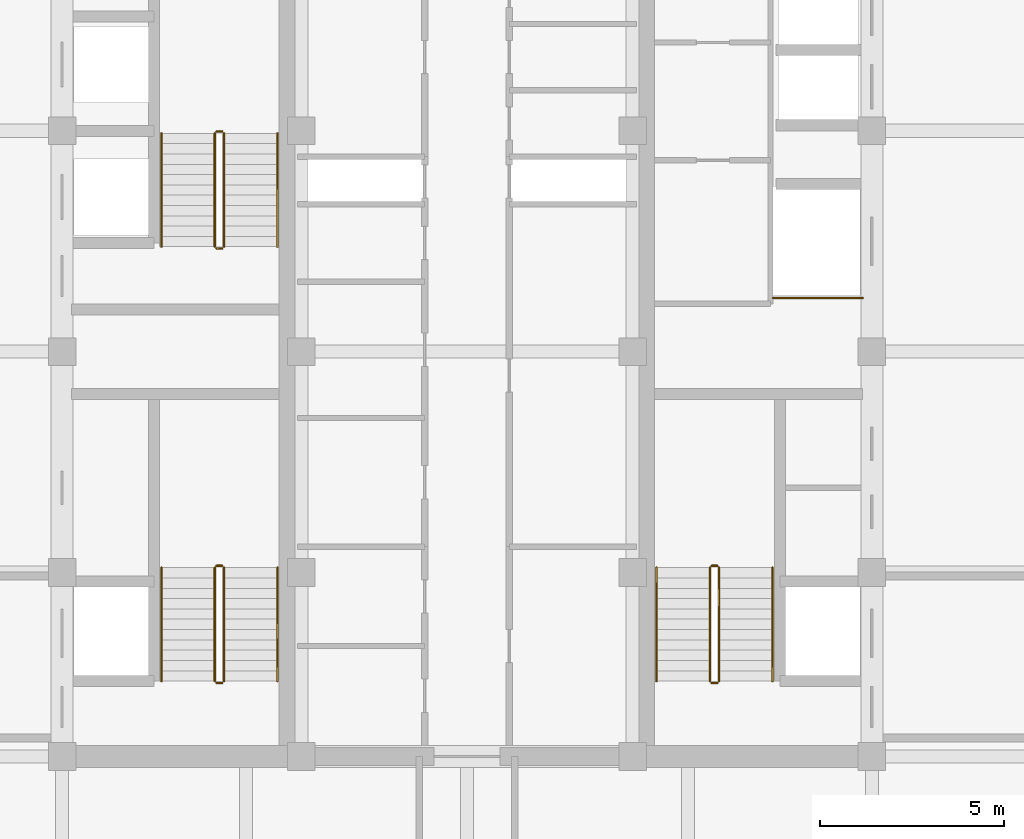
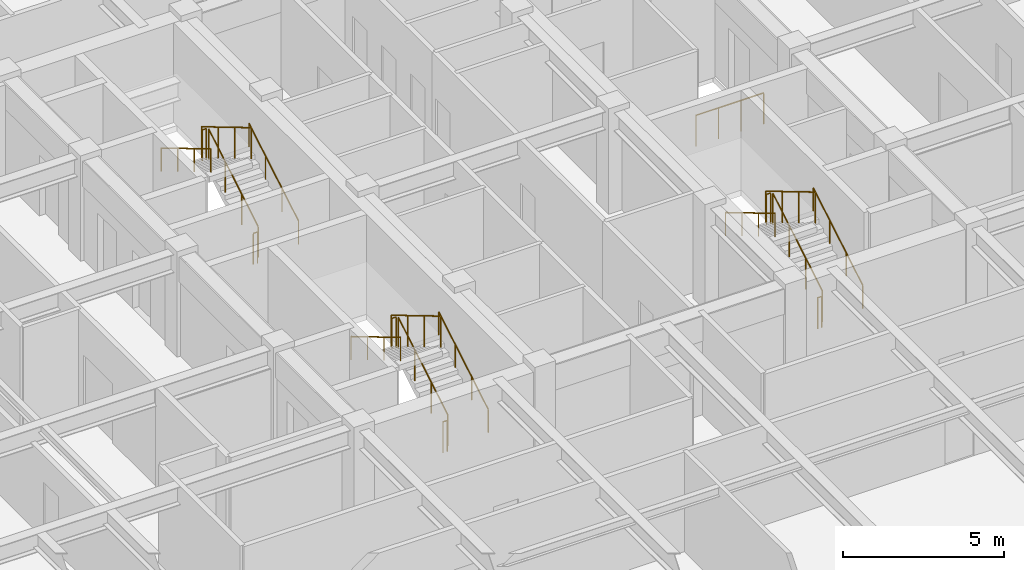
# One storey, part 22 of 22: 19 railings.
"""IFC4 building model written with IfcOpenShell, lengths in metres."""

from ifc_helpers import new_model, si_unit, direction, frame, origin, origin_2d, place, context, subcontext, project, spatial, circle, extrude, source, transform, mapped, material, type_object, element, save


model = new_model("IFC4")

# Units and contexts
model_context = context("Model", 3, precision=1e-05, world=origin(), true_north=direction((0.0, 1.0)))
body_context = subcontext(model_context, "Body", "Model", "MODEL_VIEW")
ifc_project = project(units=[si_unit("LENGTHUNIT", "METRE"), si_unit("AREAUNIT", "SQUARE_METRE"), si_unit("VOLUMEUNIT", "CUBIC_METRE"), si_unit("PLANEANGLEUNIT", "RADIAN"), si_unit("MASSUNIT", "GRAM", prefix="KILO")], contexts=[model_context])

# Site, building, storey
site_placement = place(None, origin())
site = spatial("IfcSite", under=ifc_project, at=site_placement, CompositionType="ELEMENT")
building_placement = place(site_placement, origin())
building = spatial("IfcBuilding", under=site, at=building_placement, Name="Khorayat Bourse Tower", CompositionType="ELEMENT")
storey_placement = place(building_placement, frame((0.0, 0.0, 309.5)))
storey = spatial("IfcBuildingStorey", under=building, at=storey_placement, Name="L73", CompositionType="ELEMENT", Elevation=309.5)

# Railings
ifc_material_1 = material(Name="Powder-coated steel balustrade", Category="steel")
railing_type_1 = type_object("IfcRailingType", Name="RLG-GUARD-1200", PredefinedType="GUARDRAIL", material=ifc_material_1)
shared_shape_1 = source(origin(), body_context, "Body", "SweptSolid", [
    extrude(circle(Radius=0.02392578125, at=origin_2d()), frame((0.0, 0.0, 1.17578125), z_axis=(-1.0, 0.0, 0.0), x_axis=(0.0, -1.0, 0.0)), (0.0, 0.0, 1.0), 0.150146484375),
    extrude(circle(Radius=0.02099609375, at=origin_2d()), origin(), (0.0, 0.0, 1.0), 1.15185546875),
    extrude(circle(Radius=0.02099609375, at=origin_2d()), frame((-0.150146484375, 0.0, 0.0)), (0.0, 0.0, 1.0), 1.15185546875),
])
for number, where, name in (
    (1, (-6.64990234375, -5.820068359375, 2.0), "L73 ST-1 stair guard 2"),
    (2, (-6.64990234375, -9.0, 0.0), "L73 ST-1 stair guard 4"),
    (3, (-6.64990234375, 5.97998046875, 2.0), "L73 ST-2 stair guard 2"),
    (4, (-6.64990234375, 2.800048828125, 0.0), "L73 ST-2 stair guard 4"),
    (5, (6.800048828125, -5.820068359375, 2.0), "L73 ST-3 stair guard 2"),
    (6, (6.800048828125, -9.0, 0.0), "L73 ST-3 stair guard 4"),
):
    element("IfcRailing", number, at=place(storey_placement, frame(where)), inside=storey, type_object=railing_type_1, Name=name, PredefinedType="GUARDRAIL", context=body_context, shape_type="MappedRepresentation", body=[
        mapped(shared_shape_1, transform((0.0, 0.0, 0.0), scale=1.0)),
    ])
shared_shape_2 = source(origin(), body_context, "Body", "SweptSolid", [
    extrude(circle(Radius=0.02392578125, at=origin_2d()), frame((0.0, 0.0, 1.17578125), z_axis=(0.0, 0.859290745958, 0.51148745235), x_axis=(-1.0, 0.0, 0.0)), (0.0, 0.0, 1.0), 3.584228515625),
    extrude(circle(Radius=0.02099609375, at=origin_2d()), origin(), (0.0, 0.0, 1.0), 1.15185546875),
    extrude(circle(Radius=0.02099609375, at=origin_2d()), frame((0.0, 1.026611328125, 0.611083984375)), (0.0, 0.0, 1.0), 1.15185546875),
    extrude(circle(Radius=0.02099609375, at=origin_2d()), frame((0.0, 2.05322265625, 1.22216796875)), (0.0, 0.0, 1.0), 1.15185546875),
    extrude(circle(Radius=0.02099609375, at=origin_2d()), frame((0.0, 3.079833984375, 1.833251953125)), (0.0, 0.0, 1.0), 1.15185546875),
])
for number, where, name in (
    (7, (-6.60009765625, -8.949951171875, 0.166748046875), "L73 ST-1 stair guard 1"),
    (8, (-6.60009765625, 2.85009765625, 0.166748046875), "L73 ST-2 stair guard 1"),
    (9, (6.85009765625, -8.949951171875, 0.166748046875), "L73 ST-3 stair guard 1"),
):
    element("IfcRailing", number, at=place(storey_placement, frame(where)), inside=storey, type_object=railing_type_1, Name=name, PredefinedType="GUARDRAIL", context=body_context, shape_type="MappedRepresentation", body=[
        mapped(shared_shape_2, transform((0.0, 0.0, 0.0), scale=1.0)),
    ])
shared_shape_3 = source(origin(), body_context, "Body", "SweptSolid", [
    extrude(circle(Radius=0.02392578125, at=origin_2d()), frame((0.0, 0.0, 1.17578125), z_axis=(0.0, -0.859290745958, 0.51148745235), x_axis=(1.0, 0.0, 0.0)), (0.0, 0.0, 1.0), 3.584228515625),
    extrude(circle(Radius=0.02099609375, at=origin_2d()), origin(), (0.0, 0.0, 1.0), 1.15185546875),
    extrude(circle(Radius=0.02099609375, at=origin_2d()), frame((0.0, -1.026611328125, 0.611083984375)), (0.0, 0.0, 1.0), 1.15185546875),
    extrude(circle(Radius=0.02099609375, at=origin_2d()), frame((0.0, -2.05322265625, 1.22216796875)), (0.0, 0.0, 1.0), 1.15185546875),
    extrude(circle(Radius=0.02099609375, at=origin_2d()), frame((0.0, -3.079833984375, 1.833251953125)), (0.0, 0.0, 1.0), 1.15185546875),
])
for number, where, name in (
    (10, (-6.85009765625, -5.8701171875, 2.166748046875), "L73 ST-1 stair guard 3"),
    (11, (-6.85009765625, 5.929931640625, 2.166748046875), "L73 ST-2 stair guard 3"),
    (12, (6.60009765625, -5.8701171875, 2.166748046875), "L73 ST-3 stair guard 3"),
):
    element("IfcRailing", number, at=place(storey_placement, frame(where)), inside=storey, type_object=railing_type_1, Name=name, PredefinedType="GUARDRAIL", context=body_context, shape_type="MappedRepresentation", body=[
        mapped(shared_shape_3, transform((0.0, 0.0, 0.0), scale=1.0)),
    ])
ifc_material_2 = material(Name="Brushed bronze stainless-steel handrail", Category="steel")
railing_type_2 = type_object("IfcRailingType", Name="RLG-HAND-900", PredefinedType="HANDRAIL", material=ifc_material_2)
shared_shape_4 = source(origin(), body_context, "Body", "SweptSolid", [
    extrude(circle(Radius=0.02392578125, at=origin_2d()), frame((0.0, 0.0, 0.8759765625), z_axis=(0.0, 0.859290745958, 0.51148745235), x_axis=(-1.0, 0.0, 0.0)), (0.0, 0.0, 1.0), 3.584228515625),
    extrude(circle(Radius=0.02099609375, at=origin_2d()), origin(), (0.0, 0.0, 1.0), 0.851806640625),
    extrude(circle(Radius=0.02099609375, at=origin_2d()), frame((0.0, 1.026611328125, 0.611083984375)), (0.0, 0.0, 1.0), 0.851806640625),
    extrude(circle(Radius=0.02099609375, at=origin_2d()), frame((0.0, 2.05322265625, 1.22216796875)), (0.0, 0.0, 1.0), 0.851806640625),
    extrude(circle(Radius=0.02099609375, at=origin_2d()), frame((0.0, 3.079833984375, 1.833251953125)), (0.0, 0.0, 1.0), 0.851806640625),
])
for number, where, name in (
    (13, (-5.14990234375, -8.949951171875, 0.166748046875), "L73 ST-1 stair handrail 1"),
    (14, (-5.14990234375, 2.85009765625, 0.166748046875), "L73 ST-2 stair handrail 1"),
    (15, (8.300048828125, -8.949951171875, 0.166748046875), "L73 ST-3 stair handrail 1"),
):
    element("IfcRailing", number, at=place(storey_placement, frame(where)), inside=storey, type_object=railing_type_2, Name=name, PredefinedType="HANDRAIL", context=body_context, shape_type="MappedRepresentation", body=[
        mapped(shared_shape_4, transform((0.0, 0.0, 0.0), scale=1.0)),
    ])
shared_shape_5 = source(origin(), body_context, "Body", "SweptSolid", [
    extrude(circle(Radius=0.02392578125, at=origin_2d()), frame((0.0, 0.0, 0.8759765625), z_axis=(0.0, -0.859290745958, 0.51148745235), x_axis=(1.0, 0.0, 0.0)), (0.0, 0.0, 1.0), 3.584228515625),
    extrude(circle(Radius=0.02099609375, at=origin_2d()), origin(), (0.0, 0.0, 1.0), 0.851806640625),
    extrude(circle(Radius=0.02099609375, at=origin_2d()), frame((0.0, -1.026611328125, 0.611083984375)), (0.0, 0.0, 1.0), 0.851806640625),
    extrude(circle(Radius=0.02099609375, at=origin_2d()), frame((0.0, -2.05322265625, 1.22216796875)), (0.0, 0.0, 1.0), 0.851806640625),
    extrude(circle(Radius=0.02099609375, at=origin_2d()), frame((0.0, -3.079833984375, 1.833251953125)), (0.0, 0.0, 1.0), 0.851806640625),
])
for number, where, name in (
    (16, (-8.300048828125, -5.8701171875, 2.166748046875), "L73 ST-1 stair handrail 2"),
    (17, (-8.300048828125, 5.929931640625, 2.166748046875), "L73 ST-2 stair handrail 2"),
    (18, (5.14990234375, -5.8701171875, 2.166748046875), "L73 ST-3 stair handrail 2"),
):
    element("IfcRailing", number, at=place(storey_placement, frame(where)), inside=storey, type_object=railing_type_2, Name=name, PredefinedType="HANDRAIL", context=body_context, shape_type="MappedRepresentation", body=[
        mapped(shared_shape_5, transform((0.0, 0.0, 0.0), scale=1.0)),
    ])
shared_shape_6 = source(origin(), body_context, "Body", "SweptSolid", [
    extrude(circle(Radius=0.02392578125, at=origin_2d()), frame((0.0, 0.0, 1.17578125), z_axis=(1.0, 0.0, 0.0), x_axis=(0.0, 1.0, 0.0)), (0.0, 0.0, 1.0), 2.429931640625),
    extrude(circle(Radius=0.02099609375, at=origin_2d()), origin(), (0.0, 0.0, 1.0), 1.15185546875),
    extrude(circle(Radius=0.02099609375, at=origin_2d()), frame((0.81005859375, 0.0, 0.0)), (0.0, 0.0, 1.0), 1.15185546875),
    extrude(circle(Radius=0.02099609375, at=origin_2d()), frame((1.619873046875, 0.0, 0.0)), (0.0, 0.0, 1.0), 1.15185546875),
    extrude(circle(Radius=0.02099609375, at=origin_2d()), frame((2.429931640625, 0.0, 0.0)), (0.0, 0.0, 1.0), 1.15185546875),
])
railing_placement = place(storey_placement, frame((8.320068359375, 1.4599609375, 0.0)))
element("IfcRailing", 19, at=railing_placement, inside=storey, type_object=railing_type_1, Name="L73 Goods Shaft Opening Guardrail", PredefinedType="GUARDRAIL", context=body_context, shape_type="MappedRepresentation", body=[
    mapped(shared_shape_6, transform((0.0, 0.0, 0.0), scale=1.0)),
])

save(model, "model.ifc")
